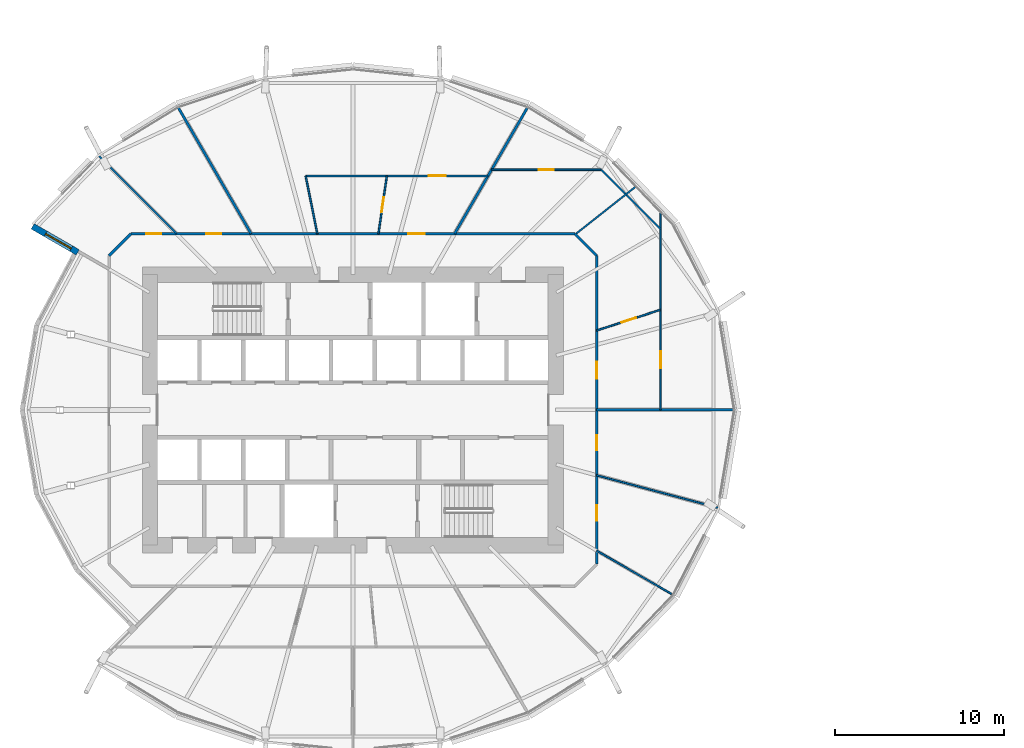
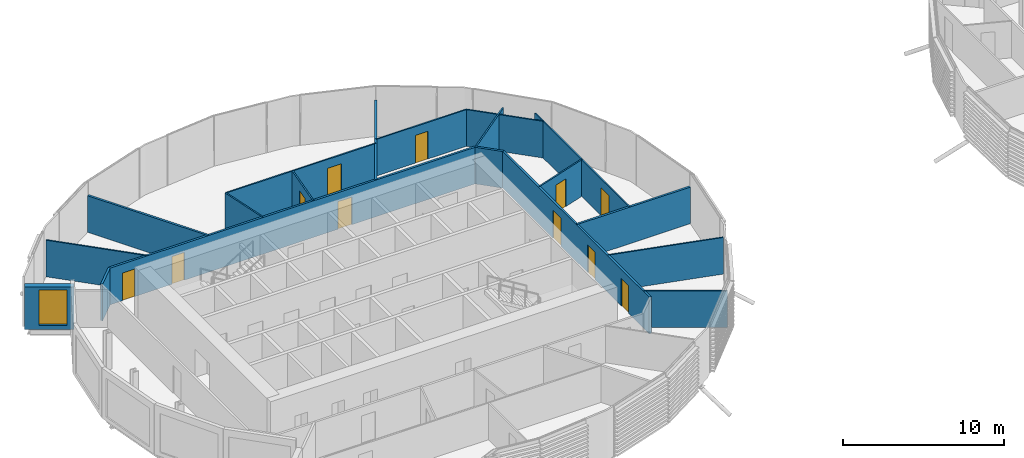
# One storey, part 22 of 37: 19 walls, 11 doors, 1 window, 12 openings.
"""IFC4 building model written with IfcOpenShell, lengths in metres."""

from ifc_helpers import new_model, si_unit, direction, frame, frame_2d, origin, place, context, subcontext, project, spatial, rectangle, extrude, material, layer, layer_set, type_object, element, fill, save


model = new_model("IFC4")

# Units and contexts
model_context = context("Model", 3, precision=1e-05, world=origin(), true_north=direction((0.0, 1.0)))
body_context = subcontext(model_context, "Body", "Model", "MODEL_VIEW")
ifc_project = project(units=[si_unit("LENGTHUNIT", "METRE"), si_unit("AREAUNIT", "SQUARE_METRE"), si_unit("VOLUMEUNIT", "CUBIC_METRE"), si_unit("PLANEANGLEUNIT", "RADIAN"), si_unit("MASSUNIT", "GRAM", prefix="KILO")], contexts=[model_context])

# Site, building, storey
site_placement = place(None, origin())
site = spatial("IfcSite", under=ifc_project, at=site_placement, CompositionType="ELEMENT")
building_placement = place(site_placement, origin())
building = spatial("IfcBuilding", under=site, at=building_placement, Name="Rimbun Link Towers", CompositionType="ELEMENT")
storey_placement = place(building_placement, frame((0.0, 0.0, 45.199951171875)))
storey = spatial("IfcBuildingStorey", under=building, at=storey_placement, Name="L10", CompositionType="ELEMENT", Elevation=45.199951171875)

# Wall, opening, window
ifc_material_1 = material(Name="Dark enamelled glass spandrel on insulated aluminium backpan", Category="aluminium")
ifc_layer_1 = layer(ifc_material_1, 0.3701171875)
ifc_layer_set_1 = layer_set([ifc_layer_1], Name="CS dark enamelled spandrel wall 370")
wall_type_1 = type_object("IfcWallType", Name="CS dark enamelled spandrel wall 370", PredefinedType="STANDARD", material=ifc_layer_set_1)
wall_1_placement = place(storey_placement, frame((-48.02685546875, 9.322509765625, 0.0), z_axis=(0.0, 0.0, 1.0), x_axis=(-0.866064153644, 0.499932877268, 0.0)))
wall_1 = element("IfcWall", 1, at=wall_1_placement, inside=storey, type_object=wall_type_1, Name="Crease spandrel wall", PredefinedType="STANDARD", context=body_context, shape_type="SweptSolid", body=[
    extrude(rectangle(XDim=3.080078125, YDim=0.3701171875, at=frame_2d((1.5400390625, 0.0))), origin(), (0.0, 0.0, 1.0), 3.2236328125),
])
opening_1_placement = place(wall_1_placement, frame((0.444091796875, 0.0, 0.300048828125)))
opening_1 = element("IfcOpeningElement", 2, at=opening_1_placement, cuts=wall_1, Name="Opening WR18H270", PredefinedType="OPENING", context=body_context, shape_type="SweptSolid", body=[
    extrude(rectangle(XDim=1.75, YDim=2.699951171875, at=frame_2d((0.875, 1.35009765625))), frame((0.0, 0.195068359375, 0.0), z_axis=(0.0, -1.0, 0.0), x_axis=(1.0, 0.0, 0.0)), (0.0, 0.0, 1.0), 0.39013671875),
])
ifc_material_2 = material(Name="Aluminium framed fixed window, dark tinted low-e glass", Category="aluminium")
window_type = type_object("IfcWindowType", Name="WR ribbon window 1750X2700", PartitioningType="SINGLE_PANEL", PredefinedType="WINDOW", material=ifc_material_2)
window_placement = place(opening_1_placement, origin())
window = element("IfcWindow", 3, at=window_placement, inside=storey, type_object=window_type, Name="Crease ribbon window", OverallHeight=2.699951171875, OverallWidth=1.75, PartitioningType="SINGLE_PANEL", PredefinedType="WINDOW", context=body_context, shape_type="SweptSolid", body=[
    extrude(rectangle(XDim=1.75, YDim=2.699951171875, at=frame_2d((0.875, 1.35009765625))), frame((0.0, 0.030029296875, 0.0), z_axis=(0.0, -1.0, 0.0), x_axis=(1.0, 0.0, 0.0)), (0.0, 0.0, 1.0), 0.06005859375),
])
fill(opening_1, window)

# Wall, openings, doors
ifc_material_3 = material(Name="Plasterboard on steel stud, mineral wool", Category="steel")
ifc_layer_2 = layer(ifc_material_3, 0.14990234375)
ifc_layer_set_2 = layer_set([ifc_layer_2], Name="Corridor wall EI 30 150 mm")
wall_type_2 = type_object("IfcWallType", Name="Corridor wall EI 30 150 mm", PredefinedType="PARTITIONING", material=ifc_layer_set_2)
wall_2_placement = place(storey_placement, frame((-44.876708984375, 10.425048828125, 0.0), z_axis=(0.0, 0.0, 1.0), x_axis=(1.0, 0.0, 0.0)))
wall_2 = element("IfcWall", 4, at=wall_2_placement, inside=storey, type_object=wall_type_2, Name="Corridor wall EI 30 150 mm", PredefinedType="PARTITIONING", context=body_context, shape_type="SweptSolid", body=[
    extrude(rectangle(XDim=26.25341796875, YDim=0.14990234375, at=frame_2d((13.126708984375, 0.0))), origin(), (0.0, 0.0, 1.0), 2.779052734375),
])
opening_2_placement = place(wall_2_placement, frame((16.392822265625, 0.0, 0.0)))
opening_2 = element("IfcOpeningElement", 5, at=opening_2_placement, cuts=wall_2, Name="Opening D01", PredefinedType="OPENING", context=body_context, shape_type="SweptSolid", body=[
    extrude(rectangle(XDim=1.0, YDim=2.10009765625, at=frame_2d((0.5, 1.050048828125))), frame((0.0, 0.0849609375, 0.0), z_axis=(0.0, -1.0, 0.0), x_axis=(1.0, 0.0, 0.0)), (0.0, 0.0, 1.0), 0.169921875),
])
opening_3_placement = place(wall_2_placement, frame((4.454833984375, 0.0, 0.0)))
opening_3 = element("IfcOpeningElement", 6, at=opening_3_placement, cuts=wall_2, Name="Opening D02", PredefinedType="OPENING", context=body_context, shape_type="SweptSolid", body=[
    extrude(rectangle(XDim=0.89990234375, YDim=2.10009765625, at=frame_2d((0.449951171875, 1.050048828125))), frame((0.0, 0.0849609375, 0.0), z_axis=(0.0, -1.0, 0.0), x_axis=(1.0, 0.0, 0.0)), (0.0, 0.0, 1.0), 0.169921875),
])
opening_4_placement = place(wall_2_placement, frame((0.90087890625, 0.0, 0.0)))
opening_4 = element("IfcOpeningElement", 7, at=opening_4_placement, cuts=wall_2, Name="Opening D02", PredefinedType="OPENING", context=body_context, shape_type="SweptSolid", body=[
    extrude(rectangle(XDim=0.89990234375, YDim=2.10009765625, at=frame_2d((0.449951171875, 1.050048828125))), frame((0.0, 0.0849609375, 0.0), z_axis=(0.0, -1.0, 0.0), x_axis=(1.0, 0.0, 0.0)), (0.0, 0.0, 1.0), 0.169921875),
])
ifc_material_4 = material(Name="Fire-resisting timber door leaf", Category="wood")
door_type_1 = type_object("IfcDoorType", Name="Fire door FD30S 1000", OperationType="NOTDEFINED", PredefinedType="DOOR", material=ifc_material_4)
door_1_placement = place(opening_2_placement, origin())
door_1 = element("IfcDoor", 8, at=door_1_placement, inside=storey, type_object=door_type_1, Name="Fire door FD30S 1000 to Reception", OperationType="SINGLE_SWING_LEFT", OverallHeight=2.10009765625, OverallWidth=1.0, PredefinedType="DOOR", context=body_context, shape_type="SweptSolid", body=[
    extrude(rectangle(XDim=1.0, YDim=2.10009765625, at=frame_2d((0.5, 1.050048828125))), frame((0.0, 0.02490234375, 0.0), z_axis=(0.0, -1.0, 0.0), x_axis=(1.0, 0.0, 0.0)), (0.0, 0.0, 1.0), 0.050048828125),
])
fill(opening_2, door_1)
ifc_material_5 = material(Name="Fire-resisting timber door leaf", Category="wood")
door_type_2 = type_object("IfcDoorType", Name="Fire door FD30S 900", OperationType="NOTDEFINED", PredefinedType="DOOR", material=ifc_material_5)
door_2_placement = place(opening_3_placement, origin())
door_2 = element("IfcDoor", 9, at=door_2_placement, inside=storey, type_object=door_type_2, Name="Fire door FD30S 900 to Cellular office", OperationType="SINGLE_SWING_RIGHT", OverallHeight=2.10009765625, OverallWidth=0.89990234375, PredefinedType="DOOR", context=body_context, shape_type="SweptSolid", body=[
    extrude(rectangle(XDim=0.89990234375, YDim=2.10009765625, at=frame_2d((0.449951171875, 1.050048828125))), frame((0.0, 0.02490234375, 0.0), z_axis=(0.0, -1.0, 0.0), x_axis=(1.0, 0.0, 0.0)), (0.0, 0.0, 1.0), 0.050048828125),
])
fill(opening_3, door_2)
door_3_placement = place(opening_4_placement, origin())
door_3 = element("IfcDoor", 10, at=door_3_placement, inside=storey, type_object=door_type_2, Name="Fire door FD30S 900 to Cellular office", OperationType="SINGLE_SWING_LEFT", OverallHeight=2.10009765625, OverallWidth=0.89990234375, PredefinedType="DOOR", context=body_context, shape_type="SweptSolid", body=[
    extrude(rectangle(XDim=0.89990234375, YDim=2.10009765625, at=frame_2d((0.449951171875, 1.050048828125))), frame((0.0, 0.02490234375, 0.0), z_axis=(0.0, -1.0, 0.0), x_axis=(1.0, 0.0, 0.0)), (0.0, 0.0, 1.0), 0.050048828125),
])
fill(opening_4, door_3)

# Wall
wall_3_placement = place(storey_placement, frame((-17.324951171875, 9.126708984375, 0.0), z_axis=(0.0, 0.0, 1.0), x_axis=(-0.707106781187, 0.707106781187, 0.0)))
element("IfcWall", 11, at=wall_3_placement, inside=storey, type_object=wall_type_2, Name="Corridor wall EI 30 150 mm", PredefinedType="PARTITIONING", context=body_context, shape_type="SweptSolid", body=[
    extrude(rectangle(XDim=1.836181640625, YDim=0.14990234375, at=frame_2d((0.91796875, 0.0))), origin(), (0.0, 0.0, 1.0), 2.779052734375),
])

# Wall, openings, doors
wall_4_placement = place(storey_placement, frame((-17.324951171875, 9.126708984375, 0.0), z_axis=(0.0, 0.0, 1.0), x_axis=(0.0, -1.0, 0.0)))
wall_4 = element("IfcWall", 12, at=wall_4_placement, inside=storey, type_object=wall_type_2, Name="Corridor wall EI 30 150 mm", PredefinedType="PARTITIONING", context=body_context, shape_type="SweptSolid", body=[
    extrude(rectangle(XDim=18.25341796875, YDim=0.14990234375, at=frame_2d((9.126708984375, 0.0))), origin(), (0.0, 0.0, 1.0), 2.779052734375),
])
opening_5_placement = place(wall_4_placement, frame((14.7734375, 0.0, 0.0)))
opening_5 = element("IfcOpeningElement", 13, at=opening_5_placement, cuts=wall_4, Name="Opening D02", PredefinedType="OPENING", context=body_context, shape_type="SweptSolid", body=[
    extrude(rectangle(XDim=0.89990234375, YDim=2.10009765625, at=frame_2d((0.449951171875, 1.050048828125))), frame((0.0, 0.0849609375, 0.0), z_axis=(0.0, -1.0, 0.0), x_axis=(1.0, 0.0, 0.0)), (0.0, 0.0, 1.0), 0.169921875),
])
opening_6_placement = place(wall_4_placement, frame((10.609375, 0.0, 0.0)))
opening_6 = element("IfcOpeningElement", 14, at=opening_6_placement, cuts=wall_4, Name="Opening D02", PredefinedType="OPENING", context=body_context, shape_type="SweptSolid", body=[
    extrude(rectangle(XDim=0.89990234375, YDim=2.10009765625, at=frame_2d((0.449951171875, 1.050048828125))), frame((0.0, 0.0849609375, 0.0), z_axis=(0.0, -1.0, 0.0), x_axis=(1.0, 0.0, 0.0)), (0.0, 0.0, 1.0), 0.169921875),
])
opening_7_placement = place(wall_4_placement, frame((6.277587890625, 0.0, 0.0)))
opening_7 = element("IfcOpeningElement", 15, at=opening_7_placement, cuts=wall_4, Name="Opening D01", PredefinedType="OPENING", context=body_context, shape_type="SweptSolid", body=[
    extrude(rectangle(XDim=1.0, YDim=2.10009765625, at=frame_2d((0.5, 1.050048828125))), frame((0.0, 0.0849609375, 0.0), z_axis=(0.0, -1.0, 0.0), x_axis=(1.0, 0.0, 0.0)), (0.0, 0.0, 1.0), 0.169921875),
])
door_4_placement = place(opening_7_placement, origin())
door_4 = element("IfcDoor", 16, at=door_4_placement, inside=storey, type_object=door_type_1, Name="Fire door FD30S 1000 to Customer lobby", OperationType="SINGLE_SWING_RIGHT", OverallHeight=2.10009765625, OverallWidth=1.0, PredefinedType="DOOR", context=body_context, shape_type="SweptSolid", body=[
    extrude(rectangle(XDim=1.0, YDim=2.10009765625, at=frame_2d((0.5, 1.050048828125))), frame((0.0, 0.02490234375, 0.0), z_axis=(0.0, -1.0, 0.0), x_axis=(1.0, 0.0, 0.0)), (0.0, 0.0, 1.0), 0.050048828125),
])
fill(opening_7, door_4)
door_5_placement = place(opening_5_placement, origin())
door_5 = element("IfcDoor", 17, at=door_5_placement, inside=storey, type_object=door_type_2, Name="Fire door FD30S 900 to Cellular office", OperationType="SINGLE_SWING_RIGHT", OverallHeight=2.10009765625, OverallWidth=0.89990234375, PredefinedType="DOOR", context=body_context, shape_type="SweptSolid", body=[
    extrude(rectangle(XDim=0.89990234375, YDim=2.10009765625, at=frame_2d((0.449951171875, 1.050048828125))), frame((0.0, 0.02490234375, 0.0), z_axis=(0.0, -1.0, 0.0), x_axis=(1.0, 0.0, 0.0)), (0.0, 0.0, 1.0), 0.050048828125),
])
fill(opening_5, door_5)
door_6_placement = place(opening_6_placement, origin())
door_6 = element("IfcDoor", 18, at=door_6_placement, inside=storey, type_object=door_type_2, Name="Fire door FD30S 900 to Meeting room", OperationType="SINGLE_SWING_LEFT", OverallHeight=2.10009765625, OverallWidth=0.89990234375, PredefinedType="DOOR", context=body_context, shape_type="SweptSolid", body=[
    extrude(rectangle(XDim=0.89990234375, YDim=2.10009765625, at=frame_2d((0.449951171875, 1.050048828125))), frame((0.0, 0.02490234375, 0.0), z_axis=(0.0, -1.0, 0.0), x_axis=(1.0, 0.0, 0.0)), (0.0, 0.0, 1.0), 0.050048828125),
])
fill(opening_6, door_6)

# Walls
wall_5_placement = place(storey_placement, frame((-44.876708984375, 10.425048828125, 0.0), z_axis=(0.0, 0.0, 1.0), x_axis=(-0.707106781187, -0.707106781187, 0.0)))
element("IfcWall", 19, at=wall_5_placement, inside=storey, type_object=wall_type_2, Name="Corridor wall EI 30 150 mm", PredefinedType="PARTITIONING", context=body_context, shape_type="SweptSolid", body=[
    extrude(rectangle(XDim=1.836181640625, YDim=0.14990234375, at=frame_2d((0.91796875, 0.0))), origin(), (0.0, 0.0, 1.0), 2.779052734375),
])
ifc_material_6 = material(Name="Plasterboard on steel stud", Category="steel")
ifc_layer_3 = layer(ifc_material_6, 0.10009765625)
ifc_layer_set_3 = layer_set([ifc_layer_3], Name="Plasterboard partition 100 mm")
wall_type_3 = type_object("IfcWallType", Name="Plasterboard partition 100 mm", PredefinedType="PARTITIONING", material=ifc_layer_set_3)
wall_6_placement = place(storey_placement, frame((-12.82080078125, -10.9287109375, 0.0), z_axis=(0.0, 0.0, 1.0), x_axis=(-0.866036280653, 0.499981160238, 0.0)))
element("IfcWall", 20, at=wall_6_placement, inside=storey, type_object=wall_type_3, Name="Plasterboard partition 100 mm", PredefinedType="PARTITIONING", context=body_context, shape_type="SweptSolid", body=[
    extrude(rectangle(XDim=5.200927734375, YDim=0.10009765625, at=frame_2d((2.6005859375, 0.0))), origin(), (0.0, 0.0, 1.0), 2.779052734375),
])
wall_7_placement = place(storey_placement, frame((-10.159423828125, -5.78515625, 0.0), z_axis=(0.0, 0.0, 1.0), x_axis=(-0.965928366929, 0.258809563119, 0.0)))
element("IfcWall", 21, at=wall_7_placement, inside=storey, type_object=wall_type_3, Name="Plasterboard partition 100 mm", PredefinedType="PARTITIONING", context=body_context, shape_type="SweptSolid", body=[
    extrude(rectangle(XDim=7.418212890625, YDim=0.10009765625, at=frame_2d((3.708984375, 0.0))), origin(), (0.0, 0.0, 1.0), 2.779052734375),
])

# Wall, opening, door
wall_8_placement = place(storey_placement, frame((-17.324951171875, 4.697998046875, 0.0), z_axis=(0.0, 0.0, 1.0), x_axis=(0.950834848198, 0.309698387875, 0.0)))
wall_8 = element("IfcWall", 22, at=wall_8_placement, inside=storey, type_object=wall_type_3, Name="Plasterboard partition 100 mm", PredefinedType="PARTITIONING", context=body_context, shape_type="SweptSolid", body=[
    extrude(rectangle(XDim=3.9755859375, YDim=0.10009765625, at=frame_2d((1.98779296875, 0.0))), origin(), (0.0, 0.0, 1.0), 2.779052734375),
])
opening_8_placement = place(wall_8_placement, frame((1.53759765625, 0.0, 0.0)))
opening_8 = element("IfcOpeningElement", 23, at=opening_8_placement, cuts=wall_8, Name="Opening D04", PredefinedType="OPENING", context=body_context, shape_type="SweptSolid", body=[
    extrude(rectangle(XDim=0.89990234375, YDim=2.10009765625, at=frame_2d((0.449951171875, 1.050048828125))), frame((0.0, 0.06005859375, 0.0), z_axis=(0.0, -1.0, 0.0), x_axis=(1.0, 0.0, 0.0)), (0.0, 0.0, 1.0), 0.1201171875),
])
ifc_material_7 = material(Name="Timber door leaf", Category="wood")
door_type_3 = type_object("IfcDoorType", Name="Flush door 900", OperationType="NOTDEFINED", PredefinedType="DOOR", material=ifc_material_7)
door_7_placement = place(opening_8_placement, origin())
door_7 = element("IfcDoor", 24, at=door_7_placement, inside=storey, type_object=door_type_3, Name="Flush door 900 to Interview room", OperationType="SINGLE_SWING_RIGHT", OverallHeight=2.10009765625, OverallWidth=0.89990234375, PredefinedType="DOOR", context=body_context, shape_type="SweptSolid", body=[
    extrude(rectangle(XDim=0.89990234375, YDim=2.10009765625, at=frame_2d((0.449951171875, 1.050048828125))), frame((0.0, 0.02490234375, 0.0), z_axis=(0.0, -1.0, 0.0), x_axis=(1.0, 0.0, 0.0)), (0.0, 0.0, 1.0), 0.050048828125),
])
fill(opening_8, door_7)

wall_9_placement = place(storey_placement, frame((-13.544921875, 11.698974609375, 0.0), z_axis=(0.0, 0.0, 1.0), x_axis=(0.0, -1.0, 0.0)))
wall_9 = element("IfcWall", 25, at=wall_9_placement, inside=storey, type_object=wall_type_3, Name="Plasterboard partition 100 mm", PredefinedType="PARTITIONING", context=body_context, shape_type="SweptSolid", body=[
    extrude(rectangle(XDim=11.698974609375, YDim=0.10009765625, at=frame_2d((5.849609375, 0.0))), origin(), (0.0, 0.0, 1.0), 2.779052734375),
])
opening_9_placement = place(wall_9_placement, frame((8.219482421875, 0.0, 0.0)))
opening_9 = element("IfcOpeningElement", 26, at=opening_9_placement, cuts=wall_9, Name="Opening D03", PredefinedType="OPENING", context=body_context, shape_type="SweptSolid", body=[
    extrude(rectangle(XDim=1.0, YDim=2.10009765625, at=frame_2d((0.5, 1.050048828125))), frame((0.0, 0.06005859375, 0.0), z_axis=(0.0, -1.0, 0.0), x_axis=(1.0, 0.0, 0.0)), (0.0, 0.0, 1.0), 0.1201171875),
])
ifc_material_8 = material(Name="Timber door leaf", Category="wood")
door_type_4 = type_object("IfcDoorType", Name="Flush door 1000", OperationType="NOTDEFINED", PredefinedType="DOOR", material=ifc_material_8)
door_8_placement = place(opening_9_placement, origin())
door_8 = element("IfcDoor", 27, at=door_8_placement, inside=storey, type_object=door_type_4, Name="Flush door 1000 to Banking hall", OperationType="SINGLE_SWING_LEFT", OverallHeight=2.10009765625, OverallWidth=1.0, PredefinedType="DOOR", context=body_context, shape_type="SweptSolid", body=[
    extrude(rectangle(XDim=1.0, YDim=2.10009765625, at=frame_2d((0.5, 1.050048828125))), frame((0.0, 0.02490234375, 0.0), z_axis=(0.0, -1.0, 0.0), x_axis=(1.0, 0.0, 0.0)), (0.0, 0.0, 1.0), 0.050048828125),
])
fill(opening_9, door_8)

# Walls
wall_10_placement = place(storey_placement, frame((-15.001220703125, 13.224365234375, 0.0), z_axis=(0.0, 0.0, 1.0), x_axis=(-0.784848593056, -0.619687571263, 0.0)))
element("IfcWall", 28, at=wall_10_placement, inside=storey, type_object=wall_type_3, Name="Plasterboard partition 100 mm", PredefinedType="PARTITIONING", context=body_context, shape_type="SweptSolid", body=[
    extrude(rectangle(XDim=4.572021484375, YDim=0.10009765625, at=frame_2d((2.2861328125, 0.0))), origin(), (0.0, 0.0, 1.0), 2.779052734375),
])
wall_11_placement = place(storey_placement, frame((-13.544921875, 10.6923828125, 0.0), z_axis=(0.0, 0.0, 1.0), x_axis=(-0.707106781187, 0.707106781187, 0.0)))
element("IfcWall", 29, at=wall_11_placement, inside=storey, type_object=wall_type_3, Name="Plasterboard partition 100 mm", PredefinedType="PARTITIONING", context=body_context, shape_type="SweptSolid", body=[
    extrude(rectangle(XDim=4.9677734375, YDim=0.10009765625, at=frame_2d((2.48388671875, 0.0))), origin(), (0.0, 0.0, 1.0), 2.779052734375),
])

# Wall, opening, door
wall_12_placement = place(storey_placement, frame((-17.0576171875, 14.205078125, 0.0), z_axis=(0.0, 0.0, 1.0), x_axis=(-1.0, 0.0, 0.0)))
wall_12 = element("IfcWall", 30, at=wall_12_placement, inside=storey, type_object=wall_type_3, Name="Plasterboard partition 100 mm", PredefinedType="PARTITIONING", context=body_context, shape_type="SweptSolid", body=[
    extrude(rectangle(XDim=6.4912109375, YDim=0.10009765625, at=frame_2d((3.24560546875, 0.0))), origin(), (0.0, 0.0, 1.0), 2.779052734375),
])
opening_10_placement = place(wall_12_placement, frame((2.795654296875, 0.0, 0.0)))
opening_10 = element("IfcOpeningElement", 31, at=opening_10_placement, cuts=wall_12, Name="Opening D04", PredefinedType="OPENING", context=body_context, shape_type="SweptSolid", body=[
    extrude(rectangle(XDim=0.89990234375, YDim=2.10009765625, at=frame_2d((0.449951171875, 1.050048828125))), frame((0.0, 0.06005859375, 0.0), z_axis=(0.0, -1.0, 0.0), x_axis=(1.0, 0.0, 0.0)), (0.0, 0.0, 1.0), 0.1201171875),
])
door_9_placement = place(opening_10_placement, origin())
door_9 = element("IfcDoor", 32, at=door_9_placement, inside=storey, type_object=door_type_3, Name="Flush door 900 to Strong room", OperationType="SINGLE_SWING_RIGHT", OverallHeight=2.10009765625, OverallWidth=0.89990234375, PredefinedType="DOOR", context=body_context, shape_type="SweptSolid", body=[
    extrude(rectangle(XDim=0.89990234375, YDim=2.10009765625, at=frame_2d((0.449951171875, 1.050048828125))), frame((0.0, 0.02490234375, 0.0), z_axis=(0.0, -1.0, 0.0), x_axis=(1.0, 0.0, 0.0)), (0.0, 0.0, 1.0), 0.050048828125),
])
fill(opening_10, door_9)

wall_13_placement = place(storey_placement, frame((-30.236328125, 10.425048828125, 0.0), z_axis=(0.0, 0.0, 1.0), x_axis=(0.143695813328, 0.98962190418, 0.0)))
wall_13 = element("IfcWall", 33, at=wall_13_placement, inside=storey, type_object=wall_type_3, Name="Plasterboard partition 100 mm", PredefinedType="PARTITIONING", context=body_context, shape_type="SweptSolid", body=[
    extrude(rectangle(XDim=3.455810546875, YDim=0.10009765625, at=frame_2d((1.72802734375, 0.0))), origin(), (0.0, 0.0, 1.0), 2.779052734375),
])
opening_11_placement = place(wall_13_placement, frame((1.27783203125, 0.0, 0.0)))
opening_11 = element("IfcOpeningElement", 34, at=opening_11_placement, cuts=wall_13, Name="Opening D04", PredefinedType="OPENING", context=body_context, shape_type="SweptSolid", body=[
    extrude(rectangle(XDim=0.89990234375, YDim=2.10009765625, at=frame_2d((0.449951171875, 1.050048828125))), frame((0.0, 0.06005859375, 0.0), z_axis=(0.0, -1.0, 0.0), x_axis=(1.0, 0.0, 0.0)), (0.0, 0.0, 1.0), 0.1201171875),
])
door_10_placement = place(opening_11_placement, origin())
door_10 = element("IfcDoor", 35, at=door_10_placement, inside=storey, type_object=door_type_3, Name="Flush door 900 to Meeting room", OperationType="SINGLE_SWING_RIGHT", OverallHeight=2.10009765625, OverallWidth=0.89990234375, PredefinedType="DOOR", context=body_context, shape_type="SweptSolid", body=[
    extrude(rectangle(XDim=0.89990234375, YDim=2.10009765625, at=frame_2d((0.449951171875, 1.050048828125))), frame((0.0, 0.02490234375, 0.0), z_axis=(0.0, -1.0, 0.0), x_axis=(1.0, 0.0, 0.0)), (0.0, 0.0, 1.0), 0.050048828125),
])
fill(opening_11, door_10)

wall_14_placement = place(storey_placement, frame((-34.54296875, 13.844970703125, 0.0), z_axis=(0.0, 0.0, 1.0), x_axis=(1.0, 0.0, 0.0)))
wall_14 = element("IfcWall", 36, at=wall_14_placement, inside=storey, type_object=wall_type_3, Name="Plasterboard partition 100 mm", PredefinedType="PARTITIONING", context=body_context, shape_type="SweptSolid", body=[
    extrude(rectangle(XDim=10.786376953125, YDim=0.10009765625, at=frame_2d((5.39306640625, 0.0))), origin(), (0.0, 0.0, 1.0), 2.779052734375),
])
opening_12_placement = place(wall_14_placement, frame((7.279541015625, 0.0, 0.0)))
opening_12 = element("IfcOpeningElement", 37, at=opening_12_placement, cuts=wall_14, Name="Opening D03", PredefinedType="OPENING", context=body_context, shape_type="SweptSolid", body=[
    extrude(rectangle(XDim=1.0, YDim=2.10009765625, at=frame_2d((0.5, 1.050048828125))), frame((0.0, 0.06005859375, 0.0), z_axis=(0.0, -1.0, 0.0), x_axis=(1.0, 0.0, 0.0)), (0.0, 0.0, 1.0), 0.1201171875),
])
door_11_placement = place(opening_12_placement, origin())
door_11 = element("IfcDoor", 38, at=door_11_placement, inside=storey, type_object=door_type_4, Name="Flush door 1000 to Open office", OperationType="SINGLE_SWING_LEFT", OverallHeight=2.10009765625, OverallWidth=1.0, PredefinedType="DOOR", context=body_context, shape_type="SweptSolid", body=[
    extrude(rectangle(XDim=1.0, YDim=2.10009765625, at=frame_2d((0.5, 1.050048828125))), frame((0.0, 0.02490234375, 0.0), z_axis=(0.0, -1.0, 0.0), x_axis=(1.0, 0.0, 0.0)), (0.0, 0.0, 1.0), 0.050048828125),
])
fill(opening_12, door_11)

# Walls
wall_15_placement = place(storey_placement, frame((-34.54296875, 13.844970703125, 0.0), z_axis=(0.0, 0.0, 1.0), x_axis=(0.197757650316, -0.98025094325, 0.0)))
element("IfcWall", 39, at=wall_15_placement, inside=storey, type_object=wall_type_3, Name="Plasterboard partition 100 mm", PredefinedType="PARTITIONING", context=body_context, shape_type="SweptSolid", body=[
    extrude(rectangle(XDim=3.48876953125, YDim=0.10009765625, at=frame_2d((1.744384765625, 0.0))), origin(), (0.0, 0.0, 1.0), 2.779052734375),
])
wall_16_placement = place(storey_placement, frame((-46.76318359375, 15.01318359375, 0.0), z_axis=(0.0, 0.0, 1.0), x_axis=(0.707106781187, -0.707106781187, 0.0)))
element("IfcWall", 40, at=wall_16_placement, inside=storey, type_object=wall_type_3, Name="Plasterboard partition 100 mm", PredefinedType="PARTITIONING", context=body_context, shape_type="SweptSolid", body=[
    extrude(rectangle(XDim=6.488525390625, YDim=0.10009765625, at=frame_2d((3.244140625, 0.0))), origin(), (0.0, 0.0, 1.0), 2.779052734375),
])
ifc_material_9 = material(Name="Plasterboard on steel stud, mineral wool", Category="steel")
ifc_layer_4 = layer(ifc_material_9, 0.14990234375)
ifc_layer_set_4 = layer_set([ifc_layer_4], Name="Tenancy separation wall EI 60 150 mm")
wall_type_4 = type_object("IfcWallType", Name="Tenancy separation wall EI 60 150 mm", PredefinedType="PARTITIONING", material=ifc_layer_set_4)
wall_17_placement = place(storey_placement, frame((-17.324951171875, 0.0, 0.0), z_axis=(0.0, 0.0, 1.0), x_axis=(1.0, 0.0, 0.0)))
element("IfcWall", 41, at=wall_17_placement, inside=storey, type_object=wall_type_4, Name="Tenancy separation wall EI 60 150 mm", PredefinedType="PARTITIONING", context=body_context, shape_type="SweptSolid", body=[
    extrude(rectangle(XDim=8.11669921875, YDim=0.14990234375, at=frame_2d((4.058349609375, 0.0))), origin(), (0.0, 0.0, 1.0), 2.779052734375),
])
for number, where, z_axis, x_axis, name in (
    (42, (-25.731201171875, 10.425048828125, 0.0), (0.0, 0.0, 1.0), (0.500010951303, 0.866019080954, 0.0), "Tenancy separation wall EI 60 150 mm"),
    (43, (-37.768798828125, 10.425048828125, 0.0), (0.0, 0.0, 1.0), (-0.500010951303, 0.866019080954, 0.0), "Tenancy separation wall EI 60 150 mm"),
):
    element("IfcWall", number, at=place(storey_placement, frame(where, z_axis=z_axis, x_axis=x_axis)), inside=storey, type_object=wall_type_4, Name=name, PredefinedType="PARTITIONING", context=body_context, shape_type="SweptSolid", body=[
        extrude(rectangle(XDim=8.619384765625, YDim=0.14990234375, at=frame_2d((4.3095703125, 0.0))), origin(), (0.0, 0.0, 1.0), 2.779052734375),
    ])

save(model, "model.ifc")
